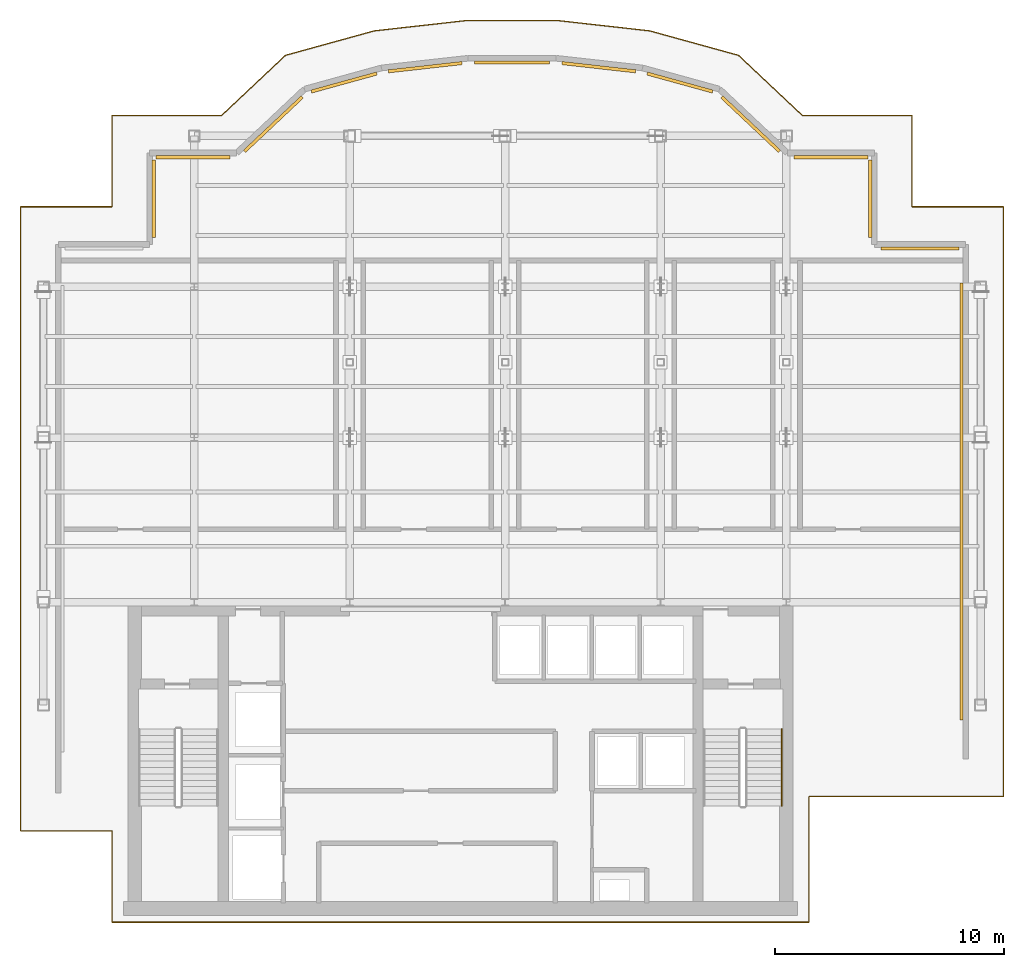
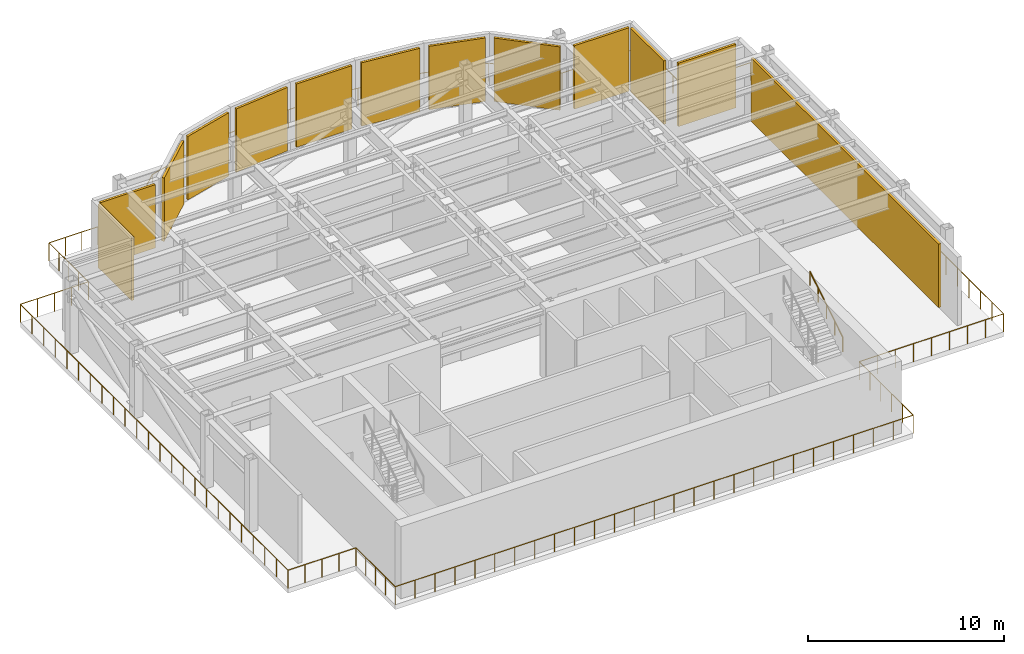
# One storey, part 7 of 7: 13 shading devices, 2 railings.
"""IFC4 building model written with IfcOpenShell, lengths in metres."""

from ifc_helpers import new_model, si_unit, derived_unit, direction, frame, origin, origin_2d, place, context, subcontext, project, spatial, rectangle, circle, extrude, source, transform, mapped, material, type_object, element, save


model = new_model("IFC4")

# Units and contexts
model_context = context("Model", 3, precision=1e-05, world=origin(), true_north=direction((0.0, 1.0)))
body_context = subcontext(model_context, "Body", "Model", "MODEL_VIEW")
ifc_project = project(units=[si_unit("LENGTHUNIT", "METRE"), si_unit("AREAUNIT", "SQUARE_METRE"), si_unit("VOLUMEUNIT", "CUBIC_METRE"), si_unit("PLANEANGLEUNIT", "RADIAN"), si_unit("MASSUNIT", "GRAM", prefix="KILO"), derived_unit("THERMALTRANSMITTANCEUNIT", [(si_unit("POWERUNIT", "WATT"), 1), (si_unit("LENGTHUNIT", "METRE"), -2), (si_unit("THERMODYNAMICTEMPERATUREUNIT", "KELVIN"), -1)])], contexts=[model_context])

# Site, building, storey
site_placement = place(None, origin())
site = spatial("IfcSite", under=ifc_project, at=site_placement, CompositionType="ELEMENT")
building_placement = place(site_placement, origin())
building = spatial("IfcBuilding", under=site, at=building_placement, Name="Skarnbrae Concourse Arena and Tower", CompositionType="ELEMENT")
storey_placement = place(building_placement, frame((0.0, 0.0, 236.050048828125)))
storey = spatial("IfcBuildingStorey", under=building, at=storey_placement, Name="L61", CompositionType="ELEMENT", Elevation=236.050048828125)

# Railings
ifc_material_1 = material(Name="Steel CSA G40.21 350W", Category="steel")
railing_type_1 = type_object("IfcRailingType", Name="RAIL-GUARD-1150", PredefinedType="GUARDRAIL", material=ifc_material_1)
railing_1_placement = place(storey_placement, frame((4.0, 0.0, 0.0)))
element("IfcRailing", 1, at=railing_1_placement, inside=storey, type_object=railing_type_1, Name="L61 Open refuge band perimeter guardrail", PredefinedType="GUARDRAIL", context=body_context, shape_type="SweptSolid", body=[
    extrude(circle(Radius=0.02392578125, at=origin_2d()), frame((0.0, 0.0, 1.1259765625), z_axis=(1.0, 0.0, 0.0), x_axis=(0.0, 1.0, 0.0)), (0.0, 0.0, 1.0), 30.5),
    extrude(circle(Radius=0.02392578125, at=origin_2d()), frame((30.5, 0.0, 1.1259765625), z_axis=(0.0, 1.0, 0.0), x_axis=(-1.0, 0.0, 0.0)), (0.0, 0.0, 1.0), 5.5),
    extrude(circle(Radius=0.02392578125, at=origin_2d()), frame((30.5, 5.5, 1.1259765625), z_axis=(1.0, 0.0, 0.0), x_axis=(0.0, 1.0, 0.0)), (0.0, 0.0, 1.0), 8.5),
    extrude(circle(Radius=0.02392578125, at=origin_2d()), frame((39.0, 5.5, 1.1259765625), z_axis=(0.0, 1.0, 0.0), x_axis=(-1.0, 0.0, 0.0)), (0.0, 0.0, 1.0), 25.800048828125),
    extrude(circle(Radius=0.02392578125, at=origin_2d()), frame((39.0, 31.300048828125, 1.1259765625), z_axis=(-1.0, 0.0, 0.0), x_axis=(0.0, -1.0, 0.0)), (0.0, 0.0, 1.0), 4.0),
    extrude(circle(Radius=0.02392578125, at=origin_2d()), frame((35.0, 31.300048828125, 1.1259765625), z_axis=(0.0, 1.0, 0.0), x_axis=(-1.0, 0.0, 0.0)), (0.0, 0.0, 1.0), 4.0),
    extrude(circle(Radius=0.02392578125, at=origin_2d()), frame((35.0, 35.300048828125, 1.1259765625), z_axis=(-1.0, 0.0, 0.0), x_axis=(0.0, -1.0, 0.0)), (0.0, 0.0, 1.0), 4.800048828125),
    extrude(circle(Radius=0.02392578125, at=origin_2d()), frame((30.199951171875, 35.300048828125, 1.1259765625), z_axis=(-0.728127044998, 0.685442197667, 0.0), x_axis=(-0.685442197667, -0.728127044998, 0.0)), (0.0, 0.0, 1.0), 3.83203125),
    extrude(circle(Radius=0.02392578125, at=origin_2d()), frame((27.40966796875, 37.9267578125, 1.1259765625), z_axis=(-0.964061157142, 0.265680419469, 0.0), x_axis=(-0.265680419469, -0.964061157142, 0.0)), (0.0, 0.0, 1.0), 4.028564453125),
    extrude(circle(Radius=0.02392578125, at=origin_2d()), frame((23.52587890625, 38.9970703125, 1.1259765625), z_axis=(-0.99376656551, 0.111480999614, 0.0), x_axis=(-0.111480999614, -0.99376656551, 0.0)), (0.0, 0.0, 1.0), 4.033935546875),
    extrude(circle(Radius=0.02392578125, at=origin_2d()), frame((19.51708984375, 39.44677734375, 1.1259765625), z_axis=(-1.0, 0.0, 0.0), x_axis=(0.0, -1.0, 0.0)), (0.0, 0.0, 1.0), 4.0341796875),
    extrude(circle(Radius=0.02392578125, at=origin_2d()), frame((15.48291015625, 39.44677734375, 1.1259765625), z_axis=(-0.99376656551, -0.111480999614, 0.0), x_axis=(0.111480999614, -0.99376656551, 0.0)), (0.0, 0.0, 1.0), 4.033935546875),
    extrude(circle(Radius=0.02392578125, at=origin_2d()), frame((11.47412109375, 38.9970703125, 1.1259765625), z_axis=(-0.964061157142, -0.265680419469, 0.0), x_axis=(0.265680419469, -0.964061157142, 0.0)), (0.0, 0.0, 1.0), 4.028564453125),
    extrude(circle(Radius=0.02392578125, at=origin_2d()), frame((7.59033203125, 37.9267578125, 1.1259765625), z_axis=(-0.728127044998, -0.685442197667, 0.0), x_axis=(0.685442197667, -0.728127044998, 0.0)), (0.0, 0.0, 1.0), 3.83203125),
    extrude(circle(Radius=0.02392578125, at=origin_2d()), frame((4.800048828125, 35.300048828125, 1.1259765625), z_axis=(-1.0, 0.0, 0.0), x_axis=(0.0, -1.0, 0.0)), (0.0, 0.0, 1.0), 4.800048828125),
    extrude(circle(Radius=0.02392578125, at=origin_2d()), frame((0.0, 35.300048828125, 1.1259765625), z_axis=(0.0, -1.0, 0.0), x_axis=(1.0, 0.0, 0.0)), (0.0, 0.0, 1.0), 4.0),
    extrude(circle(Radius=0.02392578125, at=origin_2d()), frame((0.0, 31.300048828125, 1.1259765625), z_axis=(-1.0, 0.0, 0.0), x_axis=(0.0, -1.0, 0.0)), (0.0, 0.0, 1.0), 4.0),
    extrude(circle(Radius=0.02392578125, at=origin_2d()), frame((-4.0, 31.300048828125, 1.1259765625), z_axis=(0.0, -1.0, 0.0), x_axis=(1.0, 0.0, 0.0)), (0.0, 0.0, 1.0), 27.300048828125),
    extrude(circle(Radius=0.02392578125, at=origin_2d()), frame((-4.0, 4.0, 1.1259765625), z_axis=(1.0, 0.0, 0.0), x_axis=(0.0, 1.0, 0.0)), (0.0, 0.0, 1.0), 4.0),
    extrude(circle(Radius=0.02392578125, at=origin_2d()), frame((0.0, 4.0, 1.1259765625), z_axis=(0.0, -1.0, 0.0), x_axis=(1.0, 0.0, 0.0)), (0.0, 0.0, 1.0), 4.0),
    extrude(circle(Radius=0.02099609375, at=origin_2d()), origin(), (0.0, 0.0, 1.0), 1.101806640625),
    extrude(circle(Radius=0.02099609375, at=origin_2d()), frame((1.173095703125, 0.0, 0.0)), (0.0, 0.0, 1.0), 1.101806640625),
    extrude(circle(Radius=0.02099609375, at=origin_2d()), frame((2.34619140625, 0.0, 0.0)), (0.0, 0.0, 1.0), 1.101806640625),
    extrude(circle(Radius=0.02099609375, at=origin_2d()), frame((3.519287109375, 0.0, 0.0)), (0.0, 0.0, 1.0), 1.101806640625),
    extrude(circle(Radius=0.02099609375, at=origin_2d()), frame((4.6923828125, 0.0, 0.0)), (0.0, 0.0, 1.0), 1.101806640625),
    extrude(circle(Radius=0.02099609375, at=origin_2d()), frame((5.865478515625, 0.0, 0.0)), (0.0, 0.0, 1.0), 1.101806640625),
    extrude(circle(Radius=0.02099609375, at=origin_2d()), frame((7.03857421875, 0.0, 0.0)), (0.0, 0.0, 1.0), 1.101806640625),
    extrude(circle(Radius=0.02099609375, at=origin_2d()), frame((8.21142578125, 0.0, 0.0)), (0.0, 0.0, 1.0), 1.101806640625),
    extrude(circle(Radius=0.02099609375, at=origin_2d()), frame((9.384521484375, 0.0, 0.0)), (0.0, 0.0, 1.0), 1.101806640625),
    extrude(circle(Radius=0.02099609375, at=origin_2d()), frame((10.5576171875, 0.0, 0.0)), (0.0, 0.0, 1.0), 1.101806640625),
    extrude(circle(Radius=0.02099609375, at=origin_2d()), frame((11.730712890625, 0.0, 0.0)), (0.0, 0.0, 1.0), 1.101806640625),
    extrude(circle(Radius=0.02099609375, at=origin_2d()), frame((12.90380859375, 0.0, 0.0)), (0.0, 0.0, 1.0), 1.101806640625),
    extrude(circle(Radius=0.02099609375, at=origin_2d()), frame((14.076904296875, 0.0, 0.0)), (0.0, 0.0, 1.0), 1.101806640625),
    extrude(circle(Radius=0.02099609375, at=origin_2d()), frame((15.25, 0.0, 0.0)), (0.0, 0.0, 1.0), 1.101806640625),
    extrude(circle(Radius=0.02099609375, at=origin_2d()), frame((16.423095703125, 0.0, 0.0)), (0.0, 0.0, 1.0), 1.101806640625),
    extrude(circle(Radius=0.02099609375, at=origin_2d()), frame((17.59619140625, 0.0, 0.0)), (0.0, 0.0, 1.0), 1.101806640625),
    extrude(circle(Radius=0.02099609375, at=origin_2d()), frame((18.769287109375, 0.0, 0.0)), (0.0, 0.0, 1.0), 1.101806640625),
    extrude(circle(Radius=0.02099609375, at=origin_2d()), frame((19.9423828125, 0.0, 0.0)), (0.0, 0.0, 1.0), 1.101806640625),
    extrude(circle(Radius=0.02099609375, at=origin_2d()), frame((21.115478515625, 0.0, 0.0)), (0.0, 0.0, 1.0), 1.101806640625),
    extrude(circle(Radius=0.02099609375, at=origin_2d()), frame((22.28857421875, 0.0, 0.0)), (0.0, 0.0, 1.0), 1.101806640625),
    extrude(circle(Radius=0.02099609375, at=origin_2d()), frame((23.46142578125, 0.0, 0.0)), (0.0, 0.0, 1.0), 1.101806640625),
    extrude(circle(Radius=0.02099609375, at=origin_2d()), frame((24.634521484375, 0.0, 0.0)), (0.0, 0.0, 1.0), 1.101806640625),
    extrude(circle(Radius=0.02099609375, at=origin_2d()), frame((25.8076171875, 0.0, 0.0)), (0.0, 0.0, 1.0), 1.101806640625),
    extrude(circle(Radius=0.02099609375, at=origin_2d()), frame((26.980712890625, 0.0, 0.0)), (0.0, 0.0, 1.0), 1.101806640625),
    extrude(circle(Radius=0.02099609375, at=origin_2d()), frame((28.15380859375, 0.0, 0.0)), (0.0, 0.0, 1.0), 1.101806640625),
    extrude(circle(Radius=0.02099609375, at=origin_2d()), frame((29.326904296875, 0.0, 0.0)), (0.0, 0.0, 1.0), 1.101806640625),
    extrude(circle(Radius=0.02099609375, at=origin_2d()), frame((30.5, 0.0, 0.0)), (0.0, 0.0, 1.0), 1.101806640625),
    extrude(circle(Radius=0.02099609375, at=origin_2d()), frame((30.5, 1.10009765625, 0.0)), (0.0, 0.0, 1.0), 1.101806640625),
    extrude(circle(Radius=0.02099609375, at=origin_2d()), frame((30.5, 2.199951171875, 0.0)), (0.0, 0.0, 1.0), 1.101806640625),
    extrude(circle(Radius=0.02099609375, at=origin_2d()), frame((30.5, 3.300048828125, 0.0)), (0.0, 0.0, 1.0), 1.101806640625),
    extrude(circle(Radius=0.02099609375, at=origin_2d()), frame((30.5, 4.39990234375, 0.0)), (0.0, 0.0, 1.0), 1.101806640625),
    extrude(circle(Radius=0.02099609375, at=origin_2d()), frame((30.5, 5.5, 0.0)), (0.0, 0.0, 1.0), 1.101806640625),
    extrude(circle(Radius=0.02099609375, at=origin_2d()), frame((31.5625, 5.5, 0.0)), (0.0, 0.0, 1.0), 1.101806640625),
    extrude(circle(Radius=0.02099609375, at=origin_2d()), frame((32.625, 5.5, 0.0)), (0.0, 0.0, 1.0), 1.101806640625),
    extrude(circle(Radius=0.02099609375, at=origin_2d()), frame((33.6875, 5.5, 0.0)), (0.0, 0.0, 1.0), 1.101806640625),
    extrude(circle(Radius=0.02099609375, at=origin_2d()), frame((34.75, 5.5, 0.0)), (0.0, 0.0, 1.0), 1.101806640625),
    extrude(circle(Radius=0.02099609375, at=origin_2d()), frame((35.8125, 5.5, 0.0)), (0.0, 0.0, 1.0), 1.101806640625),
    extrude(circle(Radius=0.02099609375, at=origin_2d()), frame((36.875, 5.5, 0.0)), (0.0, 0.0, 1.0), 1.101806640625),
    extrude(circle(Radius=0.02099609375, at=origin_2d()), frame((37.9375, 5.5, 0.0)), (0.0, 0.0, 1.0), 1.101806640625),
    extrude(circle(Radius=0.02099609375, at=origin_2d()), frame((39.0, 5.5, 0.0)), (0.0, 0.0, 1.0), 1.101806640625),
    extrude(circle(Radius=0.02099609375, at=origin_2d()), frame((39.0, 6.6728515625, 0.0)), (0.0, 0.0, 1.0), 1.101806640625),
    extrude(circle(Radius=0.02099609375, at=origin_2d()), frame((39.0, 7.845458984375, 0.0)), (0.0, 0.0, 1.0), 1.101806640625),
    extrude(circle(Radius=0.02099609375, at=origin_2d()), frame((39.0, 9.01806640625, 0.0)), (0.0, 0.0, 1.0), 1.101806640625),
    extrude(circle(Radius=0.02099609375, at=origin_2d()), frame((39.0, 10.19091796875, 0.0)), (0.0, 0.0, 1.0), 1.101806640625),
    extrude(circle(Radius=0.02099609375, at=origin_2d()), frame((39.0, 11.36376953125, 0.0)), (0.0, 0.0, 1.0), 1.101806640625),
    extrude(circle(Radius=0.02099609375, at=origin_2d()), frame((39.0, 12.536376953125, 0.0)), (0.0, 0.0, 1.0), 1.101806640625),
    extrude(circle(Radius=0.02099609375, at=origin_2d()), frame((39.0, 13.708984375, 0.0)), (0.0, 0.0, 1.0), 1.101806640625),
    extrude(circle(Radius=0.02099609375, at=origin_2d()), frame((39.0, 14.8818359375, 0.0)), (0.0, 0.0, 1.0), 1.101806640625),
    extrude(circle(Radius=0.02099609375, at=origin_2d()), frame((39.0, 16.0546875, 0.0)), (0.0, 0.0, 1.0), 1.101806640625),
    extrude(circle(Radius=0.02099609375, at=origin_2d()), frame((39.0, 17.227294921875, 0.0)), (0.0, 0.0, 1.0), 1.101806640625),
    extrude(circle(Radius=0.02099609375, at=origin_2d()), frame((39.0, 18.39990234375, 0.0)), (0.0, 0.0, 1.0), 1.101806640625),
    extrude(circle(Radius=0.02099609375, at=origin_2d()), frame((39.0, 19.57275390625, 0.0)), (0.0, 0.0, 1.0), 1.101806640625),
    extrude(circle(Radius=0.02099609375, at=origin_2d()), frame((39.0, 20.74560546875, 0.0)), (0.0, 0.0, 1.0), 1.101806640625),
    extrude(circle(Radius=0.02099609375, at=origin_2d()), frame((39.0, 21.918212890625, 0.0)), (0.0, 0.0, 1.0), 1.101806640625),
    extrude(circle(Radius=0.02099609375, at=origin_2d()), frame((39.0, 23.0908203125, 0.0)), (0.0, 0.0, 1.0), 1.101806640625),
    extrude(circle(Radius=0.02099609375, at=origin_2d()), frame((39.0, 24.263671875, 0.0)), (0.0, 0.0, 1.0), 1.101806640625),
    extrude(circle(Radius=0.02099609375, at=origin_2d()), frame((39.0, 25.4365234375, 0.0)), (0.0, 0.0, 1.0), 1.101806640625),
    extrude(circle(Radius=0.02099609375, at=origin_2d()), frame((39.0, 26.609130859375, 0.0)), (0.0, 0.0, 1.0), 1.101806640625),
    extrude(circle(Radius=0.02099609375, at=origin_2d()), frame((39.0, 27.78173828125, 0.0)), (0.0, 0.0, 1.0), 1.101806640625),
    extrude(circle(Radius=0.02099609375, at=origin_2d()), frame((39.0, 28.95458984375, 0.0)), (0.0, 0.0, 1.0), 1.101806640625),
    extrude(circle(Radius=0.02099609375, at=origin_2d()), frame((39.0, 30.12744140625, 0.0)), (0.0, 0.0, 1.0), 1.101806640625),
    extrude(circle(Radius=0.02099609375, at=origin_2d()), frame((39.0, 31.300048828125, 0.0)), (0.0, 0.0, 1.0), 1.101806640625),
    extrude(circle(Radius=0.02099609375, at=origin_2d()), frame((38.0, 31.300048828125, 0.0)), (0.0, 0.0, 1.0), 1.101806640625),
    extrude(circle(Radius=0.02099609375, at=origin_2d()), frame((37.0, 31.300048828125, 0.0)), (0.0, 0.0, 1.0), 1.101806640625),
    extrude(circle(Radius=0.02099609375, at=origin_2d()), frame((36.0, 31.300048828125, 0.0)), (0.0, 0.0, 1.0), 1.101806640625),
    extrude(circle(Radius=0.02099609375, at=origin_2d()), frame((35.0, 31.300048828125, 0.0)), (0.0, 0.0, 1.0), 1.101806640625),
    extrude(circle(Radius=0.02099609375, at=origin_2d()), frame((35.0, 32.300048828125, 0.0)), (0.0, 0.0, 1.0), 1.101806640625),
    extrude(circle(Radius=0.02099609375, at=origin_2d()), frame((35.0, 33.300048828125, 0.0)), (0.0, 0.0, 1.0), 1.101806640625),
    extrude(circle(Radius=0.02099609375, at=origin_2d()), frame((35.0, 34.300048828125, 0.0)), (0.0, 0.0, 1.0), 1.101806640625),
    extrude(circle(Radius=0.02099609375, at=origin_2d()), frame((35.0, 35.300048828125, 0.0)), (0.0, 0.0, 1.0), 1.101806640625),
    extrude(circle(Radius=0.02099609375, at=origin_2d()), frame((34.0400390625, 35.300048828125, 0.0)), (0.0, 0.0, 1.0), 1.101806640625),
    extrude(circle(Radius=0.02099609375, at=origin_2d()), frame((33.080078125, 35.300048828125, 0.0)), (0.0, 0.0, 1.0), 1.101806640625),
    extrude(circle(Radius=0.02099609375, at=origin_2d()), frame((32.119873046875, 35.300048828125, 0.0)), (0.0, 0.0, 1.0), 1.101806640625),
    extrude(circle(Radius=0.02099609375, at=origin_2d()), frame((31.159912109375, 35.300048828125, 0.0)), (0.0, 0.0, 1.0), 1.101806640625),
    extrude(circle(Radius=0.02099609375, at=origin_2d()), frame((30.199951171875, 35.300048828125, 0.0)), (0.0, 0.0, 1.0), 1.101806640625),
    extrude(circle(Radius=0.02099609375, at=origin_2d()), frame((29.50244140625, 35.956787109375, 0.0)), (0.0, 0.0, 1.0), 1.101806640625),
    extrude(circle(Radius=0.02099609375, at=origin_2d()), frame((28.8046875, 36.61328125, 0.0)), (0.0, 0.0, 1.0), 1.101806640625),
    extrude(circle(Radius=0.02099609375, at=origin_2d()), frame((28.107177734375, 37.27001953125, 0.0)), (0.0, 0.0, 1.0), 1.101806640625),
    extrude(circle(Radius=0.02099609375, at=origin_2d()), frame((27.40966796875, 37.9267578125, 0.0)), (0.0, 0.0, 1.0), 1.101806640625),
    extrude(circle(Radius=0.02099609375, at=origin_2d()), frame((26.438720703125, 38.1943359375, 0.0)), (0.0, 0.0, 1.0), 1.101806640625),
    extrude(circle(Radius=0.02099609375, at=origin_2d()), frame((25.4677734375, 38.4619140625, 0.0)), (0.0, 0.0, 1.0), 1.101806640625),
    extrude(circle(Radius=0.02099609375, at=origin_2d()), frame((24.496826171875, 38.7294921875, 0.0)), (0.0, 0.0, 1.0), 1.101806640625),
    extrude(circle(Radius=0.02099609375, at=origin_2d()), frame((23.52587890625, 38.9970703125, 0.0)), (0.0, 0.0, 1.0), 1.101806640625),
    extrude(circle(Radius=0.02099609375, at=origin_2d()), frame((22.523681640625, 39.109375, 0.0)), (0.0, 0.0, 1.0), 1.101806640625),
    extrude(circle(Radius=0.02099609375, at=origin_2d()), frame((21.521484375, 39.221923828125, 0.0)), (0.0, 0.0, 1.0), 1.101806640625),
    extrude(circle(Radius=0.02099609375, at=origin_2d()), frame((20.519287109375, 39.33447265625, 0.0)), (0.0, 0.0, 1.0), 1.101806640625),
    extrude(circle(Radius=0.02099609375, at=origin_2d()), frame((19.51708984375, 39.44677734375, 0.0)), (0.0, 0.0, 1.0), 1.101806640625),
    extrude(circle(Radius=0.02099609375, at=origin_2d()), frame((18.508544921875, 39.44677734375, 0.0)), (0.0, 0.0, 1.0), 1.101806640625),
    extrude(circle(Radius=0.02099609375, at=origin_2d()), frame((17.5, 39.44677734375, 0.0)), (0.0, 0.0, 1.0), 1.101806640625),
    extrude(circle(Radius=0.02099609375, at=origin_2d()), frame((16.491455078125, 39.44677734375, 0.0)), (0.0, 0.0, 1.0), 1.101806640625),
    extrude(circle(Radius=0.02099609375, at=origin_2d()), frame((15.48291015625, 39.44677734375, 0.0)), (0.0, 0.0, 1.0), 1.101806640625),
    extrude(circle(Radius=0.02099609375, at=origin_2d()), frame((14.480712890625, 39.33447265625, 0.0)), (0.0, 0.0, 1.0), 1.101806640625),
    extrude(circle(Radius=0.02099609375, at=origin_2d()), frame((13.478515625, 39.221923828125, 0.0)), (0.0, 0.0, 1.0), 1.101806640625),
    extrude(circle(Radius=0.02099609375, at=origin_2d()), frame((12.476318359375, 39.109375, 0.0)), (0.0, 0.0, 1.0), 1.101806640625),
    extrude(circle(Radius=0.02099609375, at=origin_2d()), frame((11.47412109375, 38.9970703125, 0.0)), (0.0, 0.0, 1.0), 1.101806640625),
    extrude(circle(Radius=0.02099609375, at=origin_2d()), frame((10.503173828125, 38.7294921875, 0.0)), (0.0, 0.0, 1.0), 1.101806640625),
    extrude(circle(Radius=0.02099609375, at=origin_2d()), frame((9.5322265625, 38.4619140625, 0.0)), (0.0, 0.0, 1.0), 1.101806640625),
    extrude(circle(Radius=0.02099609375, at=origin_2d()), frame((8.561279296875, 38.1943359375, 0.0)), (0.0, 0.0, 1.0), 1.101806640625),
    extrude(circle(Radius=0.02099609375, at=origin_2d()), frame((7.59033203125, 37.9267578125, 0.0)), (0.0, 0.0, 1.0), 1.101806640625),
    extrude(circle(Radius=0.02099609375, at=origin_2d()), frame((6.892822265625, 37.27001953125, 0.0)), (0.0, 0.0, 1.0), 1.101806640625),
    extrude(circle(Radius=0.02099609375, at=origin_2d()), frame((6.1953125, 36.61328125, 0.0)), (0.0, 0.0, 1.0), 1.101806640625),
    extrude(circle(Radius=0.02099609375, at=origin_2d()), frame((5.49755859375, 35.956787109375, 0.0)), (0.0, 0.0, 1.0), 1.101806640625),
    extrude(circle(Radius=0.02099609375, at=origin_2d()), frame((4.800048828125, 35.300048828125, 0.0)), (0.0, 0.0, 1.0), 1.101806640625),
    extrude(circle(Radius=0.02099609375, at=origin_2d()), frame((3.840087890625, 35.300048828125, 0.0)), (0.0, 0.0, 1.0), 1.101806640625),
    extrude(circle(Radius=0.02099609375, at=origin_2d()), frame((2.880126953125, 35.300048828125, 0.0)), (0.0, 0.0, 1.0), 1.101806640625),
    extrude(circle(Radius=0.02099609375, at=origin_2d()), frame((1.919921875, 35.300048828125, 0.0)), (0.0, 0.0, 1.0), 1.101806640625),
    extrude(circle(Radius=0.02099609375, at=origin_2d()), frame((0.9599609375, 35.300048828125, 0.0)), (0.0, 0.0, 1.0), 1.101806640625),
    extrude(circle(Radius=0.02099609375, at=origin_2d()), frame((0.0, 35.300048828125, 0.0)), (0.0, 0.0, 1.0), 1.101806640625),
    extrude(circle(Radius=0.02099609375, at=origin_2d()), frame((0.0, 34.300048828125, 0.0)), (0.0, 0.0, 1.0), 1.101806640625),
    extrude(circle(Radius=0.02099609375, at=origin_2d()), frame((0.0, 33.300048828125, 0.0)), (0.0, 0.0, 1.0), 1.101806640625),
    extrude(circle(Radius=0.02099609375, at=origin_2d()), frame((0.0, 32.300048828125, 0.0)), (0.0, 0.0, 1.0), 1.101806640625),
    extrude(circle(Radius=0.02099609375, at=origin_2d()), frame((0.0, 31.300048828125, 0.0)), (0.0, 0.0, 1.0), 1.101806640625),
    extrude(circle(Radius=0.02099609375, at=origin_2d()), frame((-1.0, 31.300048828125, 0.0)), (0.0, 0.0, 1.0), 1.101806640625),
    extrude(circle(Radius=0.02099609375, at=origin_2d()), frame((-2.0, 31.300048828125, 0.0)), (0.0, 0.0, 1.0), 1.101806640625),
    extrude(circle(Radius=0.02099609375, at=origin_2d()), frame((-3.0, 31.300048828125, 0.0)), (0.0, 0.0, 1.0), 1.101806640625),
    extrude(circle(Radius=0.02099609375, at=origin_2d()), frame((-4.0, 31.300048828125, 0.0)), (0.0, 0.0, 1.0), 1.101806640625),
    extrude(circle(Radius=0.02099609375, at=origin_2d()), frame((-4.0, 30.113037109375, 0.0)), (0.0, 0.0, 1.0), 1.101806640625),
    extrude(circle(Radius=0.02099609375, at=origin_2d()), frame((-4.0, 28.926025390625, 0.0)), (0.0, 0.0, 1.0), 1.101806640625),
    extrude(circle(Radius=0.02099609375, at=origin_2d()), frame((-4.0, 27.7392578125, 0.0)), (0.0, 0.0, 1.0), 1.101806640625),
    extrude(circle(Radius=0.02099609375, at=origin_2d()), frame((-4.0, 26.55224609375, 0.0)), (0.0, 0.0, 1.0), 1.101806640625),
    extrude(circle(Radius=0.02099609375, at=origin_2d()), frame((-4.0, 25.365234375, 0.0)), (0.0, 0.0, 1.0), 1.101806640625),
    extrude(circle(Radius=0.02099609375, at=origin_2d()), frame((-4.0, 24.17822265625, 0.0)), (0.0, 0.0, 1.0), 1.101806640625),
    extrude(circle(Radius=0.02099609375, at=origin_2d()), frame((-4.0, 22.991455078125, 0.0)), (0.0, 0.0, 1.0), 1.101806640625),
    extrude(circle(Radius=0.02099609375, at=origin_2d()), frame((-4.0, 21.804443359375, 0.0)), (0.0, 0.0, 1.0), 1.101806640625),
    extrude(circle(Radius=0.02099609375, at=origin_2d()), frame((-4.0, 20.617431640625, 0.0)), (0.0, 0.0, 1.0), 1.101806640625),
    extrude(circle(Radius=0.02099609375, at=origin_2d()), frame((-4.0, 19.430419921875, 0.0)), (0.0, 0.0, 1.0), 1.101806640625),
    extrude(circle(Radius=0.02099609375, at=origin_2d()), frame((-4.0, 18.243408203125, 0.0)), (0.0, 0.0, 1.0), 1.101806640625),
    extrude(circle(Radius=0.02099609375, at=origin_2d()), frame((-4.0, 17.056640625, 0.0)), (0.0, 0.0, 1.0), 1.101806640625),
    extrude(circle(Radius=0.02099609375, at=origin_2d()), frame((-4.0, 15.86962890625, 0.0)), (0.0, 0.0, 1.0), 1.101806640625),
    extrude(circle(Radius=0.02099609375, at=origin_2d()), frame((-4.0, 14.6826171875, 0.0)), (0.0, 0.0, 1.0), 1.101806640625),
    extrude(circle(Radius=0.02099609375, at=origin_2d()), frame((-4.0, 13.49560546875, 0.0)), (0.0, 0.0, 1.0), 1.101806640625),
    extrude(circle(Radius=0.02099609375, at=origin_2d()), frame((-4.0, 12.30859375, 0.0)), (0.0, 0.0, 1.0), 1.101806640625),
    extrude(circle(Radius=0.02099609375, at=origin_2d()), frame((-4.0, 11.121826171875, 0.0)), (0.0, 0.0, 1.0), 1.101806640625),
    extrude(circle(Radius=0.02099609375, at=origin_2d()), frame((-4.0, 9.934814453125, 0.0)), (0.0, 0.0, 1.0), 1.101806640625),
    extrude(circle(Radius=0.02099609375, at=origin_2d()), frame((-4.0, 8.747802734375, 0.0)), (0.0, 0.0, 1.0), 1.101806640625),
    extrude(circle(Radius=0.02099609375, at=origin_2d()), frame((-4.0, 7.560791015625, 0.0)), (0.0, 0.0, 1.0), 1.101806640625),
    extrude(circle(Radius=0.02099609375, at=origin_2d()), frame((-4.0, 6.3740234375, 0.0)), (0.0, 0.0, 1.0), 1.101806640625),
    extrude(circle(Radius=0.02099609375, at=origin_2d()), frame((-4.0, 5.18701171875, 0.0)), (0.0, 0.0, 1.0), 1.101806640625),
    extrude(circle(Radius=0.02099609375, at=origin_2d()), frame((-4.0, 4.0, 0.0)), (0.0, 0.0, 1.0), 1.101806640625),
    extrude(circle(Radius=0.02099609375, at=origin_2d()), frame((-3.0, 4.0, 0.0)), (0.0, 0.0, 1.0), 1.101806640625),
    extrude(circle(Radius=0.02099609375, at=origin_2d()), frame((-2.0, 4.0, 0.0)), (0.0, 0.0, 1.0), 1.101806640625),
    extrude(circle(Radius=0.02099609375, at=origin_2d()), frame((-1.0, 4.0, 0.0)), (0.0, 0.0, 1.0), 1.101806640625),
    extrude(circle(Radius=0.02099609375, at=origin_2d()), frame((0.0, 4.0, 0.0)), (0.0, 0.0, 1.0), 1.101806640625),
    extrude(circle(Radius=0.02099609375, at=origin_2d()), frame((0.0, 3.0, 0.0)), (0.0, 0.0, 1.0), 1.101806640625),
    extrude(circle(Radius=0.02099609375, at=origin_2d()), frame((0.0, 2.0, 0.0)), (0.0, 0.0, 1.0), 1.101806640625),
    extrude(circle(Radius=0.02099609375, at=origin_2d()), frame((0.0, 1.0, 0.0)), (0.0, 0.0, 1.0), 1.101806640625),
])
railing_type_2 = type_object("IfcRailingType", Name="RAIL-HANDRAIL-900", PredefinedType="HANDRAIL", material=ifc_material_1)
railing_2_placement = place(storey_placement, frame((33.300048828125, 5.090087890625, 2.423095703125)))
element("IfcRailing", 2, at=railing_2_placement, inside=storey, type_object=railing_type_2, Name="L61 ST-2 stair handrail 2", PredefinedType="HANDRAIL", context=body_context, shape_type="SweptSolid", body=[
    extrude(circle(Radius=0.02392578125, at=origin_2d()), frame((0.0, 0.0, 0.8759765625), z_axis=(0.0, 0.850606129759, 0.525803396734), x_axis=(-1.0, 0.0, 0.0)), (0.0, 0.0, 1.0), 3.949951171875),
    extrude(circle(Radius=0.02099609375, at=origin_2d()), origin(), (0.0, 0.0, 1.0), 0.851806640625),
    extrude(circle(Radius=0.02099609375, at=origin_2d()), frame((0.0, 0.83984375, 0.519287109375)), (0.0, 0.0, 1.0), 0.851806640625),
    extrude(circle(Radius=0.02099609375, at=origin_2d()), frame((0.0, 1.679931640625, 1.03857421875)), (0.0, 0.0, 1.0), 0.851806640625),
    extrude(circle(Radius=0.02099609375, at=origin_2d()), frame((0.0, 2.52001953125, 1.5576171875)), (0.0, 0.0, 1.0), 0.851806640625),
    extrude(circle(Radius=0.02099609375, at=origin_2d()), frame((0.0, 3.35986328125, 2.076904296875)), (0.0, 0.0, 1.0), 0.851806640625),
])

# Shading devices
ifc_material_2 = material(Name="Bronze anodised aluminium 6063-T6", Category="aluminium")
shading_device_type = type_object("IfcShadingDeviceType", Name="SHD-BRONZE-LOUVRE-150", PredefinedType="USERDEFINED", material=ifc_material_2)
shared_shape_1 = source(origin(), body_context, "Body", "SweptSolid", [
    extrude(rectangle(XDim=3.39990234375, YDim=0.139892578125, at=origin_2d()), origin(), (0.0, 0.0, 1.0), 3.949951171875),
])
for number, where, z_axis, x_axis, name in (
    (3, (5.830078125, 31.64990234375, 0.14990234375), (0.0, 0.0, 1.0), (0.0, 1.0, 0.0), "L61 Refuge band bronze weather louvre 05"),
    (4, (37.169921875, 31.64990234375, 0.14990234375), (0.0, 0.0, 1.0), (0.0, -1.0, 0.0), "L61 Refuge band bronze weather louvre 15"),
    (5, (39.35009765625, 29.469970703125, 0.14990234375), (0.0, 0.0, 1.0), (1.0, 0.0, 0.0), "L61 Refuge band bronze weather louvre 16"),
):
    element("IfcShadingDevice", number, at=place(storey_placement, frame(where, z_axis=z_axis, x_axis=x_axis)), inside=storey, type_object=shading_device_type, Name=name, ObjectType="LOUVRE", PredefinedType="USERDEFINED", context=body_context, shape_type="MappedRepresentation", body=[
        mapped(shared_shape_1, transform((0.0, 0.0, 0.0))),
    ])
shared_shape_2 = source(origin(), body_context, "Body", "SweptSolid", [
    extrude(rectangle(XDim=3.233642578125, YDim=0.139892578125, at=origin_2d()), origin(), (0.0, 0.0, 1.0), 3.949951171875),
])
for number, where, z_axis, x_axis, name in (
    (6, (7.55224609375, 33.469970703125, 0.14990234375), (0.0, 0.0, 1.0), (1.0, 0.0, 0.0), "L61 Refuge band bronze weather louvre 06"),
    (7, (35.44775390625, 33.469970703125, 0.14990234375), (0.0, 0.0, 1.0), (1.0, 0.0, 0.0), "L61 Refuge band bronze weather louvre 14"),
):
    element("IfcShadingDevice", number, at=place(storey_placement, frame(where, z_axis=z_axis, x_axis=x_axis)), inside=storey, type_object=shading_device_type, Name=name, ObjectType="LOUVRE", PredefinedType="USERDEFINED", context=body_context, shape_type="MappedRepresentation", body=[
        mapped(shared_shape_2, transform((0.0, 0.0, 0.0))),
    ])
shared_shape_3 = source(origin(), body_context, "Body", "SweptSolid", [
    extrude(rectangle(XDim=3.4658203125, YDim=0.139892578125, at=origin_2d()), origin(), (0.0, 0.0, 1.0), 3.949951171875),
])
for number, where, z_axis, x_axis, name in (
    (8, (11.062255859375, 34.916259765625, 0.14990234375), (0.0, 0.0, 1.0), (0.728146107133, 0.685421947903, 0.0), "L61 Refuge band bronze weather louvre 07"),
    (9, (31.937744140625, 34.916259765625, 0.14990234375), (0.0, 0.0, 1.0), (0.728146107133, -0.685421947903, 0.0), "L61 Refuge band bronze weather louvre 13"),
):
    element("IfcShadingDevice", number, at=place(storey_placement, frame(where, z_axis=z_axis, x_axis=x_axis)), inside=storey, type_object=shading_device_type, Name=name, ObjectType="LOUVRE", PredefinedType="USERDEFINED", context=body_context, shape_type="MappedRepresentation", body=[
        mapped(shared_shape_3, transform((0.0, 0.0, 0.0))),
    ])
shared_shape_4 = source(origin(), body_context, "Body", "SweptSolid", [
    extrude(rectangle(XDim=2.966064453125, YDim=0.139892578125, at=origin_2d()), origin(), (0.0, 0.0, 1.0), 3.949951171875),
])
for number, where, z_axis, x_axis, name in (
    (10, (14.153076171875, 36.73486328125, 0.14990234375), (0.0, 0.0, 1.0), (0.96405136011, 0.265715966907, 0.0), "L61 Refuge band bronze weather louvre 08"),
    (11, (28.846923828125, 36.73486328125, 0.14990234375), (0.0, 0.0, 1.0), (0.96405136011, -0.265715966907, 0.0), "L61 Refuge band bronze weather louvre 12"),
):
    element("IfcShadingDevice", number, at=place(storey_placement, frame(where, z_axis=z_axis, x_axis=x_axis)), inside=storey, type_object=shading_device_type, Name=name, ObjectType="LOUVRE", PredefinedType="USERDEFINED", context=body_context, shape_type="MappedRepresentation", body=[
        mapped(shared_shape_4, transform((0.0, 0.0, 0.0))),
    ])
shared_shape_5 = source(origin(), body_context, "Body", "SweptSolid", [
    extrude(rectangle(XDim=3.23974609375, YDim=0.139892578125, at=origin_2d()), origin(), (0.0, 0.0, 1.0), 3.949951171875),
])
for number, where, z_axis, x_axis, name in (
    (12, (17.701171875, 37.405517578125, 0.14990234375), (0.0, 0.0, 1.0), (0.993769669988, 0.111453322123, 0.0), "L61 Refuge band bronze weather louvre 09"),
    (13, (25.298828125, 37.405517578125, 0.14990234375), (0.0, 0.0, 1.0), (0.993769669988, -0.111453322123, 0.0), "L61 Refuge band bronze weather louvre 11"),
):
    element("IfcShadingDevice", number, at=place(storey_placement, frame(where, z_axis=z_axis, x_axis=x_axis)), inside=storey, type_object=shading_device_type, Name=name, ObjectType="LOUVRE", PredefinedType="USERDEFINED", context=body_context, shape_type="MappedRepresentation", body=[
        mapped(shared_shape_5, transform((0.0, 0.0, 0.0))),
    ])
shared_shape_6 = source(origin(), body_context, "Body", "SweptSolid", [
    extrude(rectangle(XDim=3.2724609375, YDim=0.139892578125, at=origin_2d()), origin(), (0.0, 0.0, 1.0), 3.949951171875),
])
shading_device_1_placement = place(storey_placement, frame((21.5, 37.61669921875, 0.14990234375), z_axis=(0.0, 0.0, 1.0), x_axis=(1.0, 0.0, 0.0)))
element("IfcShadingDevice", 14, at=shading_device_1_placement, inside=storey, type_object=shading_device_type, Name="L61 Refuge band bronze weather louvre 10", ObjectType="LOUVRE", PredefinedType="USERDEFINED", context=body_context, shape_type="MappedRepresentation", body=[
    mapped(shared_shape_6, transform((0.0, 0.0, 0.0))),
])
shared_shape_7 = source(origin(), body_context, "Body", "SweptSolid", [
    extrude(rectangle(XDim=19.125, YDim=0.139892578125, at=origin_2d()), origin(), (0.0, 0.0, 1.0), 3.949951171875),
])
shading_device_2_placement = place(storey_placement, frame((41.169921875, 18.39990234375, 0.14990234375), z_axis=(0.0, 0.0, 1.0), x_axis=(0.0, -1.0, 0.0)))
element("IfcShadingDevice", 15, at=shading_device_2_placement, inside=storey, type_object=shading_device_type, Name="L61 Refuge band bronze weather louvre 17", ObjectType="LOUVRE", PredefinedType="USERDEFINED", context=body_context, shape_type="MappedRepresentation", body=[
    mapped(shared_shape_7, transform((0.0, 0.0, 0.0))),
])

save(model, "model.ifc")
